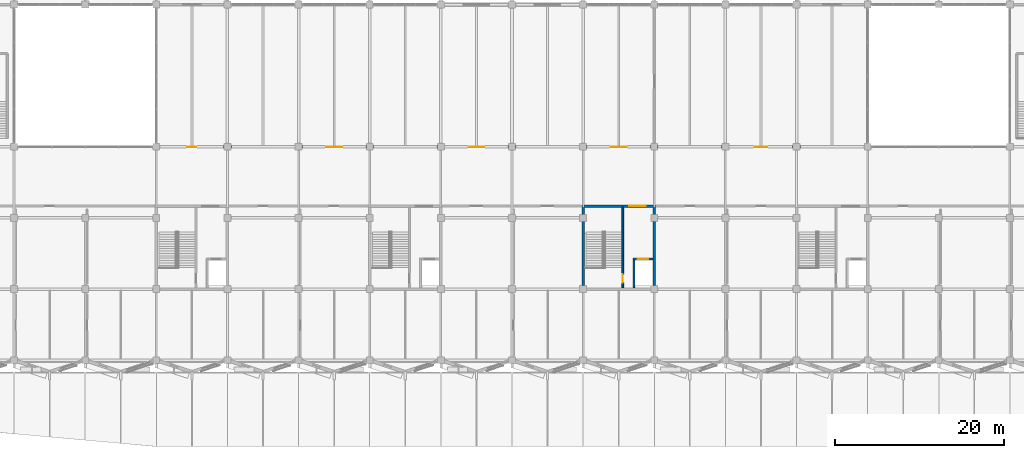
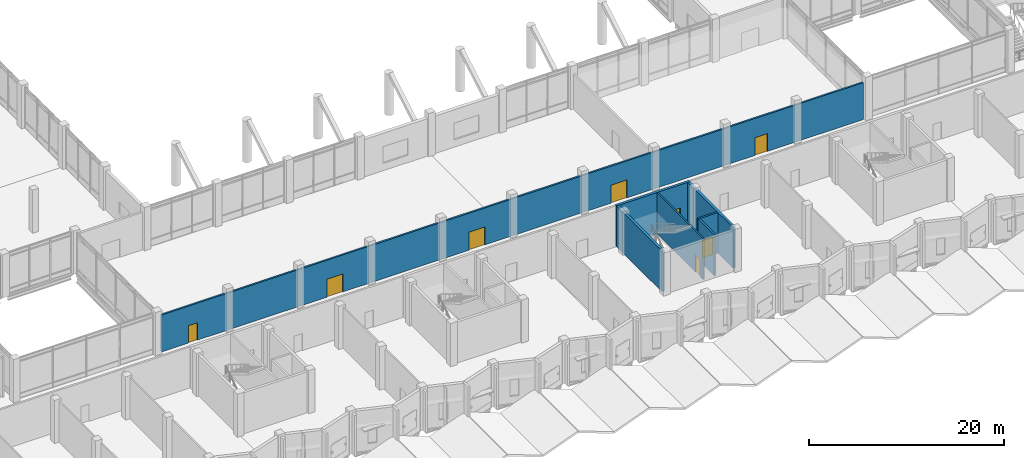
# One storey, part 52 of 72: 8 doors, 7 walls, 8 openings.
"""IFC4 building model written with IfcOpenShell, lengths in metres."""

from ifc_helpers import new_model, si_unit, direction, frame, frame_2d, origin, place, context, subcontext, project, spatial, rectangle, extrude, material, layer, layer_set, type_object, element, fill, save


model = new_model("IFC4")

# Units and contexts
model_context = context("Model", 3, precision=1e-05, world=origin(), true_north=direction((0.0, 1.0)))
body_context = subcontext(model_context, "Body", "Model", "MODEL_VIEW")
ifc_project = project(units=[si_unit("LENGTHUNIT", "METRE"), si_unit("AREAUNIT", "SQUARE_METRE"), si_unit("VOLUMEUNIT", "CUBIC_METRE"), si_unit("PLANEANGLEUNIT", "RADIAN"), si_unit("MASSUNIT", "GRAM", prefix="KILO")], contexts=[model_context])

# Site, building, storey
site_placement = place(None, origin())
site = spatial("IfcSite", under=ifc_project, at=site_placement, CompositionType="ELEMENT")
building_placement = place(site_placement, origin())
building = spatial("IfcBuilding", under=site, at=building_placement, Name="Qawsi Khor Wholesale Market", CompositionType="ELEMENT")
storey_placement = place(building_placement, frame((0.0, 0.0, 6.0)))
storey = spatial("IfcBuildingStorey", under=building, at=storey_placement, Name="L01", CompositionType="ELEMENT", Elevation=6.0)

# Wall
ifc_material_1 = material(Name="Concrete C40/50", Category="concrete")
ifc_layer_1 = layer(ifc_material_1, 0.300048828125, Name="Concrete C40/50")
ifc_layer_set_1 = layer_set([ifc_layer_1], Name="Concrete C40/50")
wall_type_1 = type_object("IfcWallType", Name="Core Shear Wall RC 300 C40/50", PredefinedType="SHEAR", material=ifc_layer_set_1)
wall_1_placement = place(storey_placement, frame((117.60009765625, 8.804931640625, 0.0), z_axis=(0.0, 0.0, 1.0), x_axis=(0.0, 1.0, 0.0)))
element("IfcWall", 1, at=wall_1_placement, inside=storey, type_object=wall_type_1, Name="Core C04 west shear wall L01", PredefinedType="SHEAR", context=body_context, shape_type="SweptSolid", body=[
    extrude(rectangle(XDim=9.2451171875, YDim=0.300048828125, at=frame_2d((4.62255859375, 0.0))), origin(), (0.0, 0.0, 1.0), 5.1201171875),
])

# Wall, opening, door
wall_2_placement = place(storey_placement, frame((117.449951171875, 18.199951171875, 0.0), z_axis=(0.0, 0.0, 1.0), x_axis=(1.0, 0.0, 0.0)))
wall_2 = element("IfcWall", 2, at=wall_2_placement, inside=storey, type_object=wall_type_1, Name="Core C04 north shear wall L01", PredefinedType="SHEAR", context=body_context, shape_type="SweptSolid", body=[
    extrude(rectangle(XDim=8.699951171875, YDim=0.300048828125, at=frame_2d((4.35009765625, 0.0))), origin(), (0.0, 0.0, 1.0), 5.1201171875),
])
opening_1_placement = place(wall_2_placement, frame((5.570068359375, 0.0, 0.0)))
opening_1 = element("IfcOpeningElement", 3, at=opening_1_placement, cuts=wall_2, Name="Opening ID-01", PredefinedType="OPENING", context=body_context, shape_type="SweptSolid", body=[
    extrude(rectangle(XDim=1.9599609375, YDim=2.199951171875, at=frame_2d((0.97998046875, 1.10009765625))), frame((0.0, 0.159912109375, 0.0), z_axis=(0.0, -1.0, 0.0), x_axis=(1.0, 0.0, 0.0)), (0.0, 0.0, 1.0), 0.320068359375),
])
ifc_material_2 = material(Name="Steel Fire Door", Category="steel")
door_type_1 = type_object("IfcDoorType", Name="Stair & Core Fire Door 1960x2200 FD90S", OperationType="NOTDEFINED", PredefinedType="DOOR", material=ifc_material_2)
door_1_placement = place(opening_1_placement, origin())
door_1 = element("IfcDoor", 4, at=door_1_placement, inside=storey, type_object=door_type_1, Name="Core C04 fire door L01", OperationType="DOUBLE_DOOR_SINGLE_SWING", OverallHeight=2.199951171875, OverallWidth=1.9599609375, PredefinedType="DOOR", context=body_context, shape_type="SweptSolid", body=[
    extrude(rectangle(XDim=1.9599609375, YDim=2.199951171875, at=frame_2d((0.97998046875, 1.10009765625))), frame((0.0, 0.02490234375, 0.0), z_axis=(0.0, -1.0, 0.0), x_axis=(1.0, 0.0, 0.0)), (0.0, 0.0, 1.0), 0.050048828125),
])
fill(opening_1, door_1)

# Wall
wall_3_placement = place(storey_placement, frame((126.0, 18.050048828125, 0.0), z_axis=(0.0, 0.0, 1.0), x_axis=(0.0, -1.0, 0.0)))
element("IfcWall", 5, at=wall_3_placement, inside=storey, type_object=wall_type_1, Name="Core C04 east shear wall L01", PredefinedType="SHEAR", context=body_context, shape_type="SweptSolid", body=[
    extrude(rectangle(XDim=9.2451171875, YDim=0.300048828125, at=frame_2d((4.62255859375, 0.0))), origin(), (0.0, 0.0, 1.0), 5.1201171875),
])

# Wall, openings, doors
ifc_material_3 = material(Name="Gypsum Fireboard on Steel Stud", Category="steel")
ifc_layer_2 = layer(ifc_material_3, 0.2099609375, Name="Gypsum Fireboard on Steel Stud")
ifc_layer_set_2 = layer_set([ifc_layer_2], Name="Gypsum Fireboard on Steel Stud")
wall_type_2 = type_object("IfcWallType", Name="Corridor Fire Partition Wall 210", PredefinedType="PARTITIONING", material=ifc_layer_set_2)
wall_4_placement = place(storey_placement, frame((67.699951171875, 25.199951171875, 0.0), z_axis=(0.0, 0.0, 1.0), x_axis=(1.0, 0.0, 0.0)))
wall_4 = element("IfcWall", 6, at=wall_4_placement, inside=storey, type_object=wall_type_2, Name="PW-L01-066", PredefinedType="PARTITIONING", context=body_context, shape_type="SweptSolid", body=[
    extrude(rectangle(XDim=83.0, YDim=0.2099609375, at=frame_2d((41.5, 0.0))), origin(), (0.0, 0.0, 1.0), 4.6298828125),
])
opening_2_placement = place(wall_4_placement, frame((3.169921875, 0.0, 0.0)))
opening_2 = element("IfcOpeningElement", 7, at=opening_2_placement, cuts=wall_4, Name="Opening ID-07", PredefinedType="OPENING", context=body_context, shape_type="SweptSolid", body=[
    extrude(rectangle(XDim=1.06005859375, YDim=2.179931640625, at=frame_2d((0.530029296875, 1.08984375))), frame((0.0, 0.114990234375, 0.0), z_axis=(0.0, -1.0, 0.0), x_axis=(1.0, 0.0, 0.0)), (0.0, 0.0, 1.0), 0.22998046875),
])
opening_3_placement = place(wall_4_placement, frame((19.574951171875, 0.0, 0.0)))
opening_3 = element("IfcOpeningElement", 8, at=opening_3_placement, cuts=wall_4, Name="Opening ID-09", PredefinedType="OPENING", context=body_context, shape_type="SweptSolid", body=[
    extrude(rectangle(XDim=1.85009765625, YDim=2.25, at=frame_2d((0.925048828125, 1.125))), frame((0.0, 0.114990234375, 0.0), z_axis=(0.0, -1.0, 0.0), x_axis=(1.0, 0.0, 0.0)), (0.0, 0.0, 1.0), 0.22998046875),
])
opening_4_placement = place(wall_4_placement, frame((36.375, 0.0, 0.0)))
opening_4 = element("IfcOpeningElement", 9, at=opening_4_placement, cuts=wall_4, Name="Opening ID-09", PredefinedType="OPENING", context=body_context, shape_type="SweptSolid", body=[
    extrude(rectangle(XDim=1.85009765625, YDim=2.25, at=frame_2d((0.925048828125, 1.125))), frame((0.0, 0.114990234375, 0.0), z_axis=(0.0, -1.0, 0.0), x_axis=(1.0, 0.0, 0.0)), (0.0, 0.0, 1.0), 0.22998046875),
])
opening_5_placement = place(wall_4_placement, frame((53.175048828125, 0.0, 0.0)))
opening_5 = element("IfcOpeningElement", 10, at=opening_5_placement, cuts=wall_4, Name="Opening ID-09", PredefinedType="OPENING", context=body_context, shape_type="SweptSolid", body=[
    extrude(rectangle(XDim=1.85009765625, YDim=2.25, at=frame_2d((0.925048828125, 1.125))), frame((0.0, 0.114990234375, 0.0), z_axis=(0.0, -1.0, 0.0), x_axis=(1.0, 0.0, 0.0)), (0.0, 0.0, 1.0), 0.22998046875),
])
opening_6_placement = place(wall_4_placement, frame((70.169921875, 0.0, 0.0)))
opening_6 = element("IfcOpeningElement", 11, at=opening_6_placement, cuts=wall_4, Name="Opening ID-10", PredefinedType="OPENING", context=body_context, shape_type="SweptSolid", body=[
    extrude(rectangle(XDim=1.4599609375, YDim=2.219970703125, at=frame_2d((0.72998046875, 1.10986328125))), frame((0.0, 0.114990234375, 0.0), z_axis=(0.0, -1.0, 0.0), x_axis=(1.0, 0.0, 0.0)), (0.0, 0.0, 1.0), 0.22998046875),
])
ifc_material_4 = material(Name="Glazed Hardwood", Category="wood")
door_type_2 = type_object("IfcDoorType", Name="Canteen Dining Double Door 1850x2250 FD60S", OperationType="NOTDEFINED", PredefinedType="DOOR", material=ifc_material_4)
door_2_placement = place(opening_3_placement, origin())
door_2 = element("IfcDoor", 12, at=door_2_placement, inside=storey, type_object=door_type_2, Name="Canteen Dining Double Door 1850x2250 FD60S L01-071", OperationType="DOUBLE_DOOR_SINGLE_SWING", OverallHeight=2.25, OverallWidth=1.85009765625, PredefinedType="DOOR", context=body_context, shape_type="SweptSolid", body=[
    extrude(rectangle(XDim=1.85009765625, YDim=2.25, at=frame_2d((0.925048828125, 1.125))), frame((0.0, 0.02490234375, 0.0), z_axis=(0.0, -1.0, 0.0), x_axis=(1.0, 0.0, 0.0)), (0.0, 0.0, 1.0), 0.050048828125),
])
fill(opening_3, door_2)
door_3_placement = place(opening_4_placement, origin())
door_3 = element("IfcDoor", 13, at=door_3_placement, inside=storey, type_object=door_type_2, Name="Canteen Dining Double Door 1850x2250 FD60S L01-072", OperationType="DOUBLE_DOOR_SINGLE_SWING", OverallHeight=2.25, OverallWidth=1.85009765625, PredefinedType="DOOR", context=body_context, shape_type="SweptSolid", body=[
    extrude(rectangle(XDim=1.85009765625, YDim=2.25, at=frame_2d((0.925048828125, 1.125))), frame((0.0, 0.02490234375, 0.0), z_axis=(0.0, -1.0, 0.0), x_axis=(1.0, 0.0, 0.0)), (0.0, 0.0, 1.0), 0.050048828125),
])
fill(opening_4, door_3)
door_4_placement = place(opening_5_placement, origin())
door_4 = element("IfcDoor", 14, at=door_4_placement, inside=storey, type_object=door_type_2, Name="Canteen Dining Double Door 1850x2250 FD60S L01-073", OperationType="DOUBLE_DOOR_SINGLE_SWING", OverallHeight=2.25, OverallWidth=1.85009765625, PredefinedType="DOOR", context=body_context, shape_type="SweptSolid", body=[
    extrude(rectangle(XDim=1.85009765625, YDim=2.25, at=frame_2d((0.925048828125, 1.125))), frame((0.0, 0.02490234375, 0.0), z_axis=(0.0, -1.0, 0.0), x_axis=(1.0, 0.0, 0.0)), (0.0, 0.0, 1.0), 0.050048828125),
])
fill(opening_5, door_4)
ifc_material_5 = material(Name="Hardwood Timber Veneer", Category="wood")
door_type_3 = type_object("IfcDoorType", Name="Clearinghouse Suite Door 1060x2180", OperationType="NOTDEFINED", PredefinedType="DOOR", material=ifc_material_5)
door_5_placement = place(opening_2_placement, origin())
door_5 = element("IfcDoor", 15, at=door_5_placement, inside=storey, type_object=door_type_3, Name="Clearinghouse Suite Door 1060x2180 L01-070", OperationType="SINGLE_SWING_LEFT", OverallHeight=2.179931640625, OverallWidth=1.06005859375, PredefinedType="DOOR", context=body_context, shape_type="SweptSolid", body=[
    extrude(rectangle(XDim=1.06005859375, YDim=2.179931640625, at=frame_2d((0.530029296875, 1.08984375))), frame((0.0, 0.02490234375, 0.0), z_axis=(0.0, -1.0, 0.0), x_axis=(1.0, 0.0, 0.0)), (0.0, 0.0, 1.0), 0.050048828125),
])
fill(opening_2, door_5)
ifc_material_6 = material(Name="Brushed Stainless Steel", Category="steel")
door_type_4 = type_object("IfcDoorType", Name="Commercial Kitchen Service Door 1460x2220 FD60S", OperationType="NOTDEFINED", PredefinedType="DOOR", material=ifc_material_6)
door_6_placement = place(opening_6_placement, origin())
door_6 = element("IfcDoor", 16, at=door_6_placement, inside=storey, type_object=door_type_4, Name="Commercial Kitchen Service Door 1460x2220 FD60S L01-074", OperationType="SINGLE_SWING_RIGHT", OverallHeight=2.219970703125, OverallWidth=1.4599609375, PredefinedType="DOOR", context=body_context, shape_type="SweptSolid", body=[
    extrude(rectangle(XDim=1.4599609375, YDim=2.219970703125, at=frame_2d((0.72998046875, 1.10986328125))), frame((0.0, 0.02490234375, 0.0), z_axis=(0.0, -1.0, 0.0), x_axis=(1.0, 0.0, 0.0)), (0.0, 0.0, 1.0), 0.050048828125),
])
fill(opening_6, door_6)

# Wall
ifc_layer_3 = layer(ifc_material_1, 0.219970703125, Name="Concrete C40/50")
ifc_layer_set_3 = layer_set([ifc_layer_3], Name="Concrete C40/50")
wall_type_3 = type_object("IfcWallType", Name="Lift & Stair Shaft Wall RC 220", PredefinedType="SOLIDWALL", material=ifc_layer_set_3)
wall_5_placement = place(storey_placement, frame((123.610107421875, 8.56005859375, 0.0), z_axis=(0.0, 0.0, 1.0), x_axis=(0.0, 1.0, 0.0)))
element("IfcWall", 17, at=wall_5_placement, inside=storey, type_object=wall_type_3, Name="Lift FF-02 shaft wall W L01", PredefinedType="SOLIDWALL", context=body_context, shape_type="SweptSolid", body=[
    extrude(rectangle(XDim=3.389892578125, YDim=0.219970703125, at=frame_2d((1.69482421875, 0.0))), origin(), (0.0, 0.0, 1.0), 5.1201171875),
])

# Wall, opening, door
wall_6_placement = place(storey_placement, frame((123.5, 11.949951171875, 0.0), z_axis=(0.0, 0.0, 1.0), x_axis=(1.0, 0.0, 0.0)))
wall_6 = element("IfcWall", 18, at=wall_6_placement, inside=storey, type_object=wall_type_3, Name="Lift FF-02 shaft wall N L01", PredefinedType="SOLIDWALL", context=body_context, shape_type="SweptSolid", body=[
    extrude(rectangle(XDim=2.340087890625, YDim=0.219970703125, at=frame_2d((1.169921875, 0.0))), origin(), (0.0, 0.0, 1.0), 5.1201171875),
])
opening_7_placement = place(wall_6_placement, frame((0.530029296875, 0.0, 0.0)))
opening_7 = element("IfcOpeningElement", 19, at=opening_7_placement, cuts=wall_6, Name="Opening LD-FF130", PredefinedType="OPENING", context=body_context, shape_type="SweptSolid", body=[
    extrude(rectangle(XDim=1.280029296875, YDim=2.25, at=frame_2d((0.64013671875, 1.125))), frame((0.0, 0.119873046875, 0.0), z_axis=(0.0, -1.0, 0.0), x_axis=(1.0, 0.0, 0.0)), (0.0, 0.0, 1.0), 0.239990234375),
])
door_type_5 = type_object("IfcDoorType", Name="Firefighting Lift Landing Sliding Door 1280x2250 FD90S", OperationType="NOTDEFINED", PredefinedType="DOOR", material=ifc_material_6)
door_7_placement = place(opening_7_placement, origin())
door_7 = element("IfcDoor", 20, at=door_7_placement, inside=storey, type_object=door_type_5, Name="Lift FF-02 landing door L01", OperationType="SLIDING_TO_RIGHT", OverallHeight=2.25, OverallWidth=1.280029296875, PredefinedType="DOOR", context=body_context, shape_type="SweptSolid", body=[
    extrude(rectangle(XDim=1.280029296875, YDim=2.25, at=frame_2d((0.64013671875, 1.125))), frame((0.0, 0.02490234375, 0.0), z_axis=(0.0, -1.0, 0.0), x_axis=(1.0, 0.0, 0.0)), (0.0, 0.0, 1.0), 0.050048828125),
])
fill(opening_7, door_7)

ifc_layer_4 = layer(ifc_material_1, 0.18994140625, Name="Concrete C40/50")
ifc_layer_set_4 = layer_set([ifc_layer_4], Name="Concrete C40/50")
wall_type_4 = type_object("IfcWallType", Name="Stairwell Enclosure Wall RC 190", PredefinedType="SOLIDWALL", material=ifc_layer_set_4)
wall_7_placement = place(storey_placement, frame((122.280029296875, 8.56005859375, 0.0), z_axis=(0.0, 0.0, 1.0), x_axis=(0.0, 1.0, 0.0)))
wall_7 = element("IfcWall", 21, at=wall_7_placement, inside=storey, type_object=wall_type_4, Name="Core C04 stairwell enclosure wall L01", PredefinedType="SOLIDWALL", context=body_context, shape_type="SweptSolid", body=[
    extrude(rectangle(XDim=9.47998046875, YDim=0.18994140625, at=frame_2d((4.739990234375, 0.0))), origin(), (0.0, 0.0, 1.0), 5.1201171875),
])
opening_8_placement = place(wall_7_placement, frame((0.580078125, 0.0, 0.0)))
opening_8 = element("IfcOpeningElement", 22, at=opening_8_placement, cuts=wall_7, Name="Opening ID-17", PredefinedType="OPENING", context=body_context, shape_type="SweptSolid", body=[
    extrude(rectangle(XDim=0.97998046875, YDim=2.14990234375, at=frame_2d((0.489990234375, 1.074951171875))), frame((0.0, 0.10498046875, 0.0), z_axis=(0.0, -1.0, 0.0), x_axis=(1.0, 0.0, 0.0)), (0.0, 0.0, 1.0), 0.2099609375),
])
door_type_6 = type_object("IfcDoorType", Name="Core Stair Lobby Fire Door 980x2150 FD120S", OperationType="NOTDEFINED", PredefinedType="DOOR", material=ifc_material_2)
door_8_placement = place(opening_8_placement, origin())
door_8 = element("IfcDoor", 23, at=door_8_placement, inside=storey, type_object=door_type_6, Name="Core C04 stair enclosure fire door L01", OperationType="SINGLE_SWING_LEFT", OverallHeight=2.14990234375, OverallWidth=0.97998046875, PredefinedType="DOOR", context=body_context, shape_type="SweptSolid", body=[
    extrude(rectangle(XDim=0.97998046875, YDim=2.14990234375, at=frame_2d((0.489990234375, 1.074951171875))), frame((0.0, 0.02490234375, 0.0), z_axis=(0.0, -1.0, 0.0), x_axis=(1.0, 0.0, 0.0)), (0.0, 0.0, 1.0), 0.050048828125),
])
fill(opening_8, door_8)

save(model, "model.ifc")
